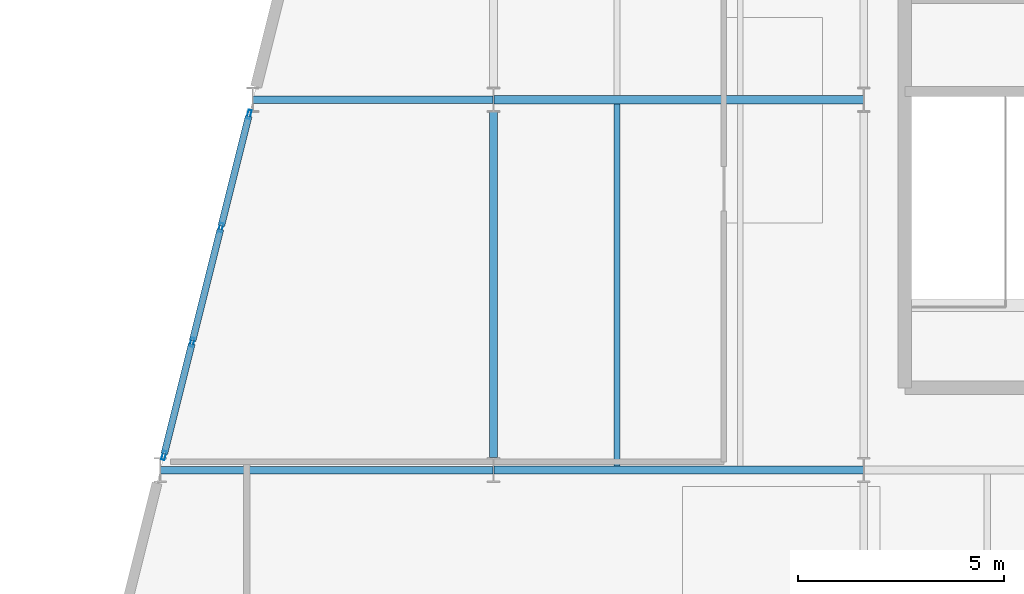
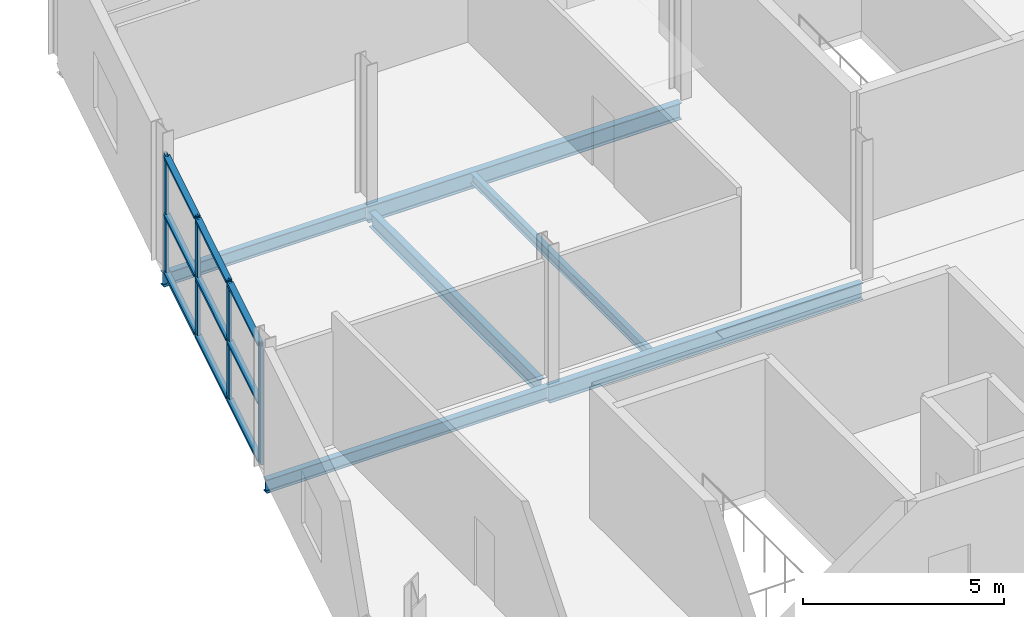
# One storey, part 24 of 44: 13 members, 6 beams, 1 element without a shape of its own.
"""IFC4 building model written with IfcOpenShell, lengths in metres."""

from ifc_helpers import new_model, si_unit, direction, frame, origin, origin_2d, place, context, subcontext, project, spatial, hollow_rectangle, i_section, extrude, material, layer, layer_set, material_profile, profile_set, type_object, element, aggregate, save


model = new_model("IFC4")

# Units and contexts
model_context = context("Model", 3, precision=1e-05, world=origin(), true_north=direction((0.0, 1.0)))
body_context = subcontext(model_context, "Body", "Model", "MODEL_VIEW")
ifc_project = project(units=[si_unit("LENGTHUNIT", "METRE"), si_unit("AREAUNIT", "SQUARE_METRE"), si_unit("VOLUMEUNIT", "CUBIC_METRE"), si_unit("PLANEANGLEUNIT", "RADIAN"), si_unit("MASSUNIT", "GRAM", prefix="KILO")], contexts=[model_context])

# Site, building, storey
site_placement = place(None, origin())
site = spatial("IfcSite", under=ifc_project, at=site_placement, CompositionType="ELEMENT")
building_placement = place(site_placement, origin())
building = spatial("IfcBuilding", under=site, at=building_placement, Name="Deido Ridge Mobility Hub", CompositionType="ELEMENT")
storey_placement = place(building_placement, frame((0.0, 0.0, 25.199951171875)))
storey = spatial("IfcBuildingStorey", under=building, at=storey_placement, Name="L06", CompositionType="ELEMENT", Elevation=25.199951171875)

# Beams
ifc_material_1 = material(Name="Steel S355J2 EN 10025-2", Category="steel")
ifc_material_profile_1 = material_profile(ifc_material_1, i_section(OverallWidth=0.179931640625, OverallDepth=0.39990234375, WebThickness=0.008544921875, FlangeThickness=0.013427734375, FilletRadius=0.02099609375, at=origin_2d()), Name="IPE 400")
ifc_profile_set_1 = profile_set([ifc_material_profile_1], Name="Steel S355J2 EN 10025-2")
beam_type_1 = type_object("IfcBeamType", Name="BM-IPE400", PredefinedType="BEAM", material=ifc_profile_set_1)
beam_1_placement = place(storey_placement, frame((147.15771484375, 45.0, -0.43994140625), z_axis=(1.0, 0.0, 0.0), x_axis=(0.0, 1.0, 0.0)))
element("IfcBeam", 1, at=beam_1_placement, inside=storey, type_object=beam_type_1, Name="Floor beam B5", PredefinedType="BEAM", context=body_context, shape_type="SweptSolid", body=[
    extrude(i_section(OverallWidth=0.179931640625, OverallDepth=0.39990234375, WebThickness=0.008544921875, FlangeThickness=0.013427734375, FilletRadius=0.02099609375, at=origin_2d()), origin(), (0.0, 0.0, 1.0), 5.83447265625),
])
beam_2_placement = place(storey_placement, frame((144.90771484375, 36.0, -0.43994140625), z_axis=(1.0, 0.0, 0.0), x_axis=(0.0, 1.0, 0.0)))
element("IfcBeam", 2, at=beam_2_placement, inside=storey, type_object=beam_type_1, Name="Floor beam B5", PredefinedType="BEAM", context=body_context, shape_type="SweptSolid", body=[
    extrude(i_section(OverallWidth=0.179931640625, OverallDepth=0.39990234375, WebThickness=0.008544921875, FlangeThickness=0.013427734375, FilletRadius=0.02099609375, at=origin_2d()), origin(), (0.0, 0.0, 1.0), 8.08447265625),
])
ifc_material_profile_2 = material_profile(ifc_material_1, i_section(OverallWidth=0.18994140625, OverallDepth=0.449951171875, WebThickness=0.009521484375, FlangeThickness=0.0146484375, FilletRadius=0.02099609375, at=origin_2d()), Name="IPE 450")
ifc_profile_set_2 = profile_set([ifc_material_profile_2], Name="Steel S355J2 EN 10025-2")
beam_type_2 = type_object("IfcBeamType", Name="BM-IPE450", PredefinedType="BEAM", material=ifc_profile_set_2)
beam_3_placement = place(storey_placement, frame((153.0, 36.300048828125, -0.46484375), z_axis=(0.0, 1.0, 0.0), x_axis=(-1.0, 0.0, 0.0)))
element("IfcBeam", 3, at=beam_3_placement, inside=storey, type_object=beam_type_2, Name="Floor beam B4", PredefinedType="BEAM", context=body_context, shape_type="SweptSolid", body=[
    extrude(i_section(OverallWidth=0.18994140625, OverallDepth=0.449951171875, WebThickness=0.009521484375, FlangeThickness=0.0146484375, FilletRadius=0.02099609375, at=origin_2d()), origin(), (0.0, 0.0, 1.0), 8.39990234375),
])
ifc_material_profile_3 = material_profile(ifc_material_1, i_section(OverallWidth=0.199951171875, OverallDepth=0.5, WebThickness=0.01025390625, FlangeThickness=0.01611328125, FilletRadius=0.02099609375, at=origin_2d()), Name="IPE 500")
ifc_profile_set_3 = profile_set([ifc_material_profile_3], Name="Steel S355J2 EN 10025-2")
beam_type_3 = type_object("IfcBeamType", Name="BM-IPE500", PredefinedType="BEAM", material=ifc_profile_set_3)
for number, where, z_axis, x_axis, name in (
    (4, (153.0078125, 45.0, -0.489990234375), (1.0, 0.0, 0.0), (0.0, 1.0, 0.0), "Floor beam B3"),
    (5, (153.0078125, 36.0, -0.489990234375), (1.0, 0.0, 0.0), (0.0, 1.0, 0.0), "Floor beam B3"),
):
    element("IfcBeam", number, at=place(storey_placement, frame(where, z_axis=z_axis, x_axis=x_axis)), inside=storey, type_object=beam_type_3, Name=name, PredefinedType="BEAM", context=body_context, shape_type="SweptSolid", body=[
        extrude(i_section(OverallWidth=0.199951171875, OverallDepth=0.5, WebThickness=0.01025390625, FlangeThickness=0.01611328125, FilletRadius=0.02099609375, at=origin_2d()), origin(), (0.0, 0.0, 1.0), 8.984375),
    ])
ifc_material_profile_4 = material_profile(ifc_material_1, i_section(OverallWidth=0.14990234375, OverallDepth=0.300048828125, WebThickness=0.007080078125, FlangeThickness=0.0107421875, FilletRadius=0.014892578125, at=origin_2d()), Name="IPE 300")
ifc_profile_set_4 = profile_set([ifc_material_profile_4], Name="Steel S355J2 EN 10025-2")
beam_type_4 = type_object("IfcBeamType", Name="JST-IPE300", PredefinedType="JOIST", material=ifc_profile_set_4)
beam_4_placement = place(storey_placement, frame((156.0, 36.10009765625, -0.389892578125), z_axis=(0.0, 1.0, 0.0), x_axis=(-1.0, 0.0, 0.0)))
element("IfcBeam", 6, at=beam_4_placement, inside=storey, type_object=beam_type_4, Name="Composite joist J3", PredefinedType="JOIST", context=body_context, shape_type="SweptSolid", body=[
    extrude(i_section(OverallWidth=0.14990234375, OverallDepth=0.300048828125, WebThickness=0.007080078125, FlangeThickness=0.0107421875, FilletRadius=0.014892578125, at=origin_2d()), origin(), (0.0, 0.0, 1.0), 8.7998046875),
])

# Curtain wall, members
ifc_material_2 = material(Name="Anodised aluminium EN AW-6063 T6", Category="aluminium")
ifc_layer = layer(ifc_material_2, 0.27001953125, Name="Anodised aluminium EN AW-6063 T6")
ifc_layer_set = layer_set([ifc_layer], Name="Anodised aluminium EN AW-6063 T6")
curtain_wall_type = type_object("IfcCurtainWallType", Name="CW-UF-8", PredefinedType="USERDEFINED", material=ifc_layer_set)
curtain_wall_placement = place(storey_placement, origin())
curtain_wall = element("IfcCurtainWall", 7, at=curtain_wall_placement, inside=storey, type_object=curtain_wall_type, Name="Unitised curtain wall CW8", ObjectType="UNITISED FACADE", PredefinedType="USERDEFINED")
ifc_material_profile_5 = material_profile(ifc_material_2, hollow_rectangle(XDim=0.080078125, YDim=0.219970703125, WallThickness=0.00390625, at=origin_2d()), Name="RHS 80x220x4")
ifc_profile_set_5 = profile_set([ifc_material_profile_5], Name="Anodised aluminium EN AW-6063 T6")
member_type_1 = type_object("IfcMemberType", Name="MEM-MUL-80X220", PredefinedType="MULLION", material=ifc_profile_set_5)
member_1_placement = place(storey_placement, frame((144.989013671875, 36.3564453125, 0.0), z_axis=(0.0, 0.0, 1.0), x_axis=(-0.970142500145, 0.242535625038, 0.0)))
member_1 = element("IfcMember", 8, at=member_1_placement, type_object=member_type_1, Name="CW8 mullion 1", PredefinedType="MULLION", context=body_context, shape_type="SweptSolid", body=[
    extrude(hollow_rectangle(XDim=0.080078125, YDim=0.219970703125, WallThickness=0.00390625, at=origin_2d()), origin(), (0.0, 0.0, 1.0), 3.60009765625),
])
member_2_placement = place(storey_placement, frame((145.676513671875, 39.10595703125, 0.0), z_axis=(0.0, 0.0, 1.0), x_axis=(-0.970142500145, 0.242535625038, 0.0)))
member_2 = element("IfcMember", 9, at=member_2_placement, type_object=member_type_1, Name="CW8 mullion 2", PredefinedType="MULLION", context=body_context, shape_type="SweptSolid", body=[
    extrude(hollow_rectangle(XDim=0.080078125, YDim=0.219970703125, WallThickness=0.00390625, at=origin_2d()), origin(), (0.0, 0.0, 1.0), 3.60009765625),
])
member_3_placement = place(storey_placement, frame((146.37353515625, 41.89404296875, 0.0), z_axis=(0.0, 0.0, 1.0), x_axis=(-0.970142500145, 0.242535625038, 0.0)))
member_3 = element("IfcMember", 10, at=member_3_placement, type_object=member_type_1, Name="CW8 mullion 3", PredefinedType="MULLION", context=body_context, shape_type="SweptSolid", body=[
    extrude(hollow_rectangle(XDim=0.080078125, YDim=0.219970703125, WallThickness=0.00390625, at=origin_2d()), origin(), (0.0, 0.0, 1.0), 3.60009765625),
])
member_4_placement = place(storey_placement, frame((147.060791015625, 44.6435546875, 0.0), z_axis=(0.0, 0.0, 1.0), x_axis=(-0.970142500145, 0.242535625038, 0.0)))
member_4 = element("IfcMember", 11, at=member_4_placement, type_object=member_type_1, Name="CW8 mullion 4", PredefinedType="MULLION", context=body_context, shape_type="SweptSolid", body=[
    extrude(hollow_rectangle(XDim=0.080078125, YDim=0.219970703125, WallThickness=0.00390625, at=origin_2d()), origin(), (0.0, 0.0, 1.0), 3.60009765625),
])
ifc_material_profile_6 = material_profile(ifc_material_2, hollow_rectangle(XDim=0.1650390625, YDim=0.080078125, WallThickness=0.00390625, at=origin_2d()), Name="RHS 165x80x4")
ifc_profile_set_6 = profile_set([ifc_material_profile_6], Name="Anodised aluminium EN AW-6063 T6")
member_type_2 = type_object("IfcMemberType", Name="MEM-TRN-165X80", PredefinedType="USERDEFINED", material=ifc_profile_set_6)
member_5_placement = place(storey_placement, frame((144.998779296875, 36.395263671875, 0.0400390625), z_axis=(0.242535625036, 0.970142500145, 0.0), x_axis=(-0.970142500145, 0.242535625036, 0.0)))
member_5 = element("IfcMember", 12, at=member_5_placement, type_object=member_type_2, Name="CW8 transom 1.1", ObjectType="TRANSOM", PredefinedType="USERDEFINED", context=body_context, shape_type="SweptSolid", body=[
    extrude(hollow_rectangle(XDim=0.1650390625, YDim=0.080078125, WallThickness=0.00390625, at=origin_2d()), origin(), (0.0, 0.0, 1.0), 2.754150390625),
])
member_6_placement = place(storey_placement, frame((144.998779296875, 36.395263671875, 1.800048828125), z_axis=(0.242535625036, 0.970142500145, 0.0), x_axis=(-0.970142500145, 0.242535625036, 0.0)))
member_6 = element("IfcMember", 13, at=member_6_placement, type_object=member_type_2, Name="CW8 transom 1.2", ObjectType="TRANSOM", PredefinedType="USERDEFINED", context=body_context, shape_type="SweptSolid", body=[
    extrude(hollow_rectangle(XDim=0.1650390625, YDim=0.080078125, WallThickness=0.00390625, at=origin_2d()), origin(), (0.0, 0.0, 1.0), 2.754150390625),
])
member_7_placement = place(storey_placement, frame((144.998779296875, 36.395263671875, 3.56005859375), z_axis=(0.242535625036, 0.970142500145, 0.0), x_axis=(-0.970142500145, 0.242535625036, 0.0)))
member_7 = element("IfcMember", 14, at=member_7_placement, type_object=member_type_2, Name="CW8 transom 1.3", ObjectType="TRANSOM", PredefinedType="USERDEFINED", context=body_context, shape_type="SweptSolid", body=[
    extrude(hollow_rectangle(XDim=0.1650390625, YDim=0.080078125, WallThickness=0.00390625, at=origin_2d()), origin(), (0.0, 0.0, 1.0), 2.754150390625),
])
member_8_placement = place(storey_placement, frame((145.686279296875, 39.144775390625, 0.0400390625), z_axis=(0.242494502274, 0.97015277991, 0.0), x_axis=(-0.97015277991, 0.242494502274, 0.0)))
member_8 = element("IfcMember", 15, at=member_8_placement, type_object=member_type_2, Name="CW8 transom 2.1", ObjectType="TRANSOM", PredefinedType="USERDEFINED", context=body_context, shape_type="SweptSolid", body=[
    extrude(hollow_rectangle(XDim=0.1650390625, YDim=0.080078125, WallThickness=0.00390625, at=origin_2d()), origin(), (0.0, 0.0, 1.0), 2.7939453125),
])
member_9_placement = place(storey_placement, frame((145.686279296875, 39.144775390625, 1.800048828125), z_axis=(0.242494502274, 0.97015277991, 0.0), x_axis=(-0.97015277991, 0.242494502274, 0.0)))
member_9 = element("IfcMember", 16, at=member_9_placement, type_object=member_type_2, Name="CW8 transom 2.2", ObjectType="TRANSOM", PredefinedType="USERDEFINED", context=body_context, shape_type="SweptSolid", body=[
    extrude(hollow_rectangle(XDim=0.1650390625, YDim=0.080078125, WallThickness=0.00390625, at=origin_2d()), origin(), (0.0, 0.0, 1.0), 2.7939453125),
])
member_10_placement = place(storey_placement, frame((145.686279296875, 39.144775390625, 3.56005859375), z_axis=(0.242494502274, 0.97015277991, 0.0), x_axis=(-0.97015277991, 0.242494502274, 0.0)))
member_10 = element("IfcMember", 17, at=member_10_placement, type_object=member_type_2, Name="CW8 transom 2.3", ObjectType="TRANSOM", PredefinedType="USERDEFINED", context=body_context, shape_type="SweptSolid", body=[
    extrude(hollow_rectangle(XDim=0.1650390625, YDim=0.080078125, WallThickness=0.00390625, at=origin_2d()), origin(), (0.0, 0.0, 1.0), 2.7939453125),
])
member_11_placement = place(storey_placement, frame((146.38330078125, 41.932861328125, 0.0400390625), z_axis=(0.242535625036, 0.970142500145, 0.0), x_axis=(-0.970142500145, 0.242535625036, 0.0)))
member_11 = element("IfcMember", 18, at=member_11_placement, type_object=member_type_2, Name="CW8 transom 3.1", ObjectType="TRANSOM", PredefinedType="USERDEFINED", context=body_context, shape_type="SweptSolid", body=[
    extrude(hollow_rectangle(XDim=0.1650390625, YDim=0.080078125, WallThickness=0.00390625, at=origin_2d()), origin(), (0.0, 0.0, 1.0), 2.754150390625),
])
member_12_placement = place(storey_placement, frame((146.38330078125, 41.932861328125, 1.800048828125), z_axis=(0.242535625036, 0.970142500145, 0.0), x_axis=(-0.970142500145, 0.242535625036, 0.0)))
member_12 = element("IfcMember", 19, at=member_12_placement, type_object=member_type_2, Name="CW8 transom 3.2", ObjectType="TRANSOM", PredefinedType="USERDEFINED", context=body_context, shape_type="SweptSolid", body=[
    extrude(hollow_rectangle(XDim=0.1650390625, YDim=0.080078125, WallThickness=0.00390625, at=origin_2d()), origin(), (0.0, 0.0, 1.0), 2.754150390625),
])
member_13_placement = place(storey_placement, frame((146.38330078125, 41.932861328125, 3.56005859375), z_axis=(0.242535625036, 0.970142500145, 0.0), x_axis=(-0.970142500145, 0.242535625036, 0.0)))
member_13 = element("IfcMember", 20, at=member_13_placement, type_object=member_type_2, Name="CW8 transom 3.3", ObjectType="TRANSOM", PredefinedType="USERDEFINED", context=body_context, shape_type="SweptSolid", body=[
    extrude(hollow_rectangle(XDim=0.1650390625, YDim=0.080078125, WallThickness=0.00390625, at=origin_2d()), origin(), (0.0, 0.0, 1.0), 2.754150390625),
])
aggregate(curtain_wall, [member_1, member_2, member_3, member_4, member_5, member_6, member_7, member_8, member_9, member_10, member_11, member_12, member_13])

save(model, "model.ifc")
